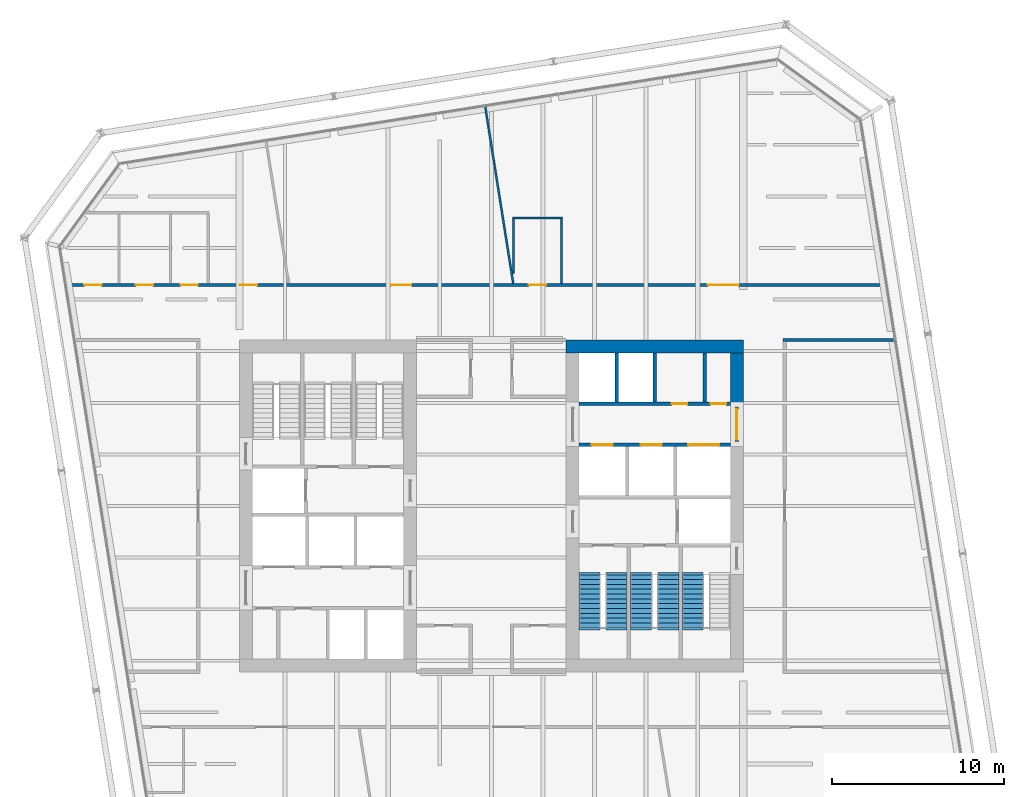
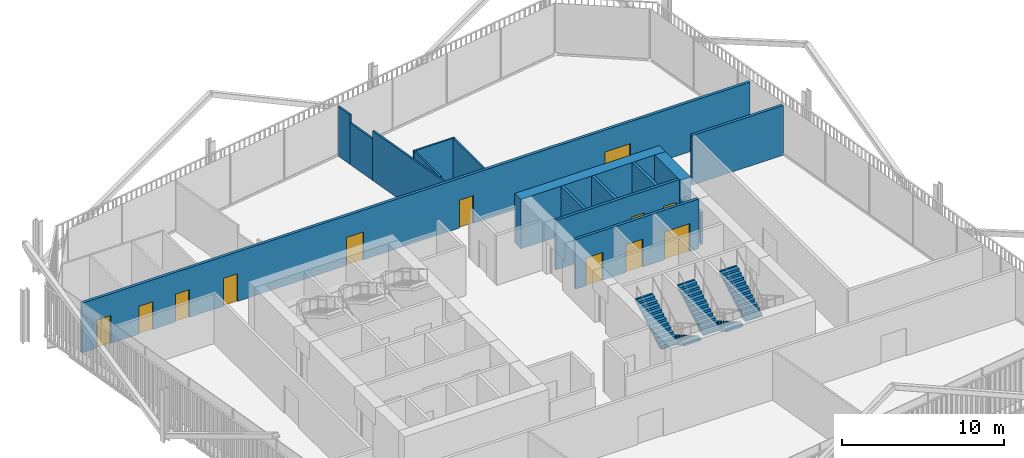
# One storey, part 17 of 19: 16 walls, 13 doors, 5 stair flights, 13 openings, 3 elements without a shape of their own.
"""IFC4 building model written with IfcOpenShell, lengths in metres."""

from ifc_helpers import new_model, si_unit, direction, frame, frame_2d, origin, place, context, subcontext, project, spatial, polyline, rectangle, outline, extrude, material, layer, layer_set, type_object, element, fill, aggregate, save


model = new_model("IFC4")

# Units and contexts
model_context = context("Model", 3, precision=1e-05, world=origin(), true_north=direction((0.0, 1.0)))
body_context = subcontext(model_context, "Body", "Model", "MODEL_VIEW")
ifc_project = project(units=[si_unit("LENGTHUNIT", "METRE"), si_unit("AREAUNIT", "SQUARE_METRE"), si_unit("VOLUMEUNIT", "CUBIC_METRE"), si_unit("PLANEANGLEUNIT", "RADIAN"), si_unit("MASSUNIT", "GRAM", prefix="KILO")], contexts=[model_context])

# Site, building, storey
site_placement = place(None, origin())
site = spatial("IfcSite", under=ifc_project, at=site_placement, CompositionType="ELEMENT")
building_placement = place(site_placement, origin())
building = spatial("IfcBuilding", under=site, at=building_placement, Name="Millrace Tower", CompositionType="ELEMENT")
storey_placement = place(building_placement, frame((0.0, 0.0, 129.5)))
storey = spatial("IfcBuildingStorey", under=building, at=storey_placement, Name="L28", CompositionType="ELEMENT", Elevation=129.5)

# Walls
ifc_material_1 = material(Name="Concrete C70", Category="concrete")
ifc_layer_1 = layer(ifc_material_1, 0.75)
ifc_layer_set_1 = layer_set([ifc_layer_1], Name="Concrete C70")
wall_type_1 = type_object("IfcWallType", Name="Core wall 750 Concrete C70", PredefinedType="SHEAR", material=ifc_layer_set_1)
wall_1_placement = place(storey_placement, frame((14.64990234375, 9.27490234375, 0.0), z_axis=(0.0, 0.0, 1.0), x_axis=(-1.0, 0.0, 0.0)))
element("IfcWall", 1, at=wall_1_placement, inside=storey, type_object=wall_type_1, Name="Core wall E L28", PredefinedType="SHEAR", context=body_context, shape_type="SweptSolid", body=[
    extrude(rectangle(XDim=10.2998046875, YDim=0.75, at=frame_2d((5.14990234375, 0.0))), origin(), (0.0, 0.0, 1.0), 3.739990234375),
])
wall_2_placement = place(storey_placement, frame((14.27490234375, 8.89990234375, 0.0), z_axis=(0.0, 0.0, 1.0), x_axis=(0.0, -1.0, 0.0)))
element("IfcWall", 2, at=wall_2_placement, inside=storey, type_object=wall_type_1, Name="Core wall E L28", PredefinedType="SHEAR", context=body_context, shape_type="SweptSolid", body=[
    extrude(rectangle(XDim=3.14990234375, YDim=0.75, at=frame_2d((1.574951171875, 0.0))), origin(), (0.0, 0.0, 1.0), 3.739990234375),
])
ifc_material_2 = material(Name="Masonry partition, fire-rated", Category="masonry")
ifc_layer_2 = layer(ifc_material_2, 0.199951171875)
ifc_layer_set_2 = layer_set([ifc_layer_2], Name="Masonry partition, fire-rated")
wall_type_2 = type_object("IfcWallType", Name="Corridor wall 200", PredefinedType="PARTITIONING", material=ifc_layer_set_2)
wall_3_placement = place(storey_placement, frame((16.949951171875, 9.64990234375, 0.0), z_axis=(0.0, 0.0, 1.0), x_axis=(1.0, 0.0, 0.0)))
element("IfcWall", 3, at=wall_3_placement, inside=storey, type_object=wall_type_2, Name="Corridor wall L28", PredefinedType="PARTITIONING", context=body_context, shape_type="SweptSolid", body=[
    extrude(rectangle(XDim=6.489501953125, YDim=0.199951171875, at=frame_2d((3.24462890625, 0.0))), origin(), (0.0, 0.0, 1.0), 3.739990234375),
])

# Wall, openings, doors
wall_4_placement = place(storey_placement, frame((-24.7138671875, 12.85009765625, 0.0), z_axis=(0.0, 0.0, 1.0), x_axis=(1.0, 0.0, 0.0)))
wall_4 = element("IfcWall", 4, at=wall_4_placement, inside=storey, type_object=wall_type_2, Name="Corridor wall L28", PredefinedType="PARTITIONING", context=body_context, shape_type="SweptSolid", body=[
    extrude(rectangle(XDim=47.646484375, YDim=0.199951171875, at=frame_2d((23.8232421875, 0.0))), origin(), (0.0, 0.0, 1.0), 3.739990234375),
])
opening_1_placement = place(wall_4_placement, frame((10.094970703125, 0.0, 0.0)))
opening_1 = element("IfcOpeningElement", 5, at=opening_1_placement, cuts=wall_4, Name="Opening 28-P005", PredefinedType="OPENING", context=body_context, shape_type="SweptSolid", body=[
    extrude(rectangle(XDim=1.0, YDim=2.10009765625, at=frame_2d((0.5, 1.050048828125))), frame((0.0, 0.10986328125, 0.0), z_axis=(0.0, -1.0, 0.0), x_axis=(1.0, 0.0, 0.0)), (0.0, 0.0, 1.0), 0.219970703125),
])
opening_2_placement = place(wall_4_placement, frame((1.051025390625, 0.0, 0.0)))
opening_2 = element("IfcOpeningElement", 6, at=opening_2_placement, cuts=wall_4, Name="Opening 28-P006", PredefinedType="OPENING", context=body_context, shape_type="SweptSolid", body=[
    extrude(rectangle(XDim=1.0, YDim=2.10009765625, at=frame_2d((0.5, 1.050048828125))), frame((0.0, 0.10986328125, 0.0), z_axis=(0.0, -1.0, 0.0), x_axis=(1.0, 0.0, 0.0)), (0.0, 0.0, 1.0), 0.219970703125),
])
opening_3_placement = place(wall_4_placement, frame((4.051025390625, 0.0, 0.0)))
opening_3 = element("IfcOpeningElement", 7, at=opening_3_placement, cuts=wall_4, Name="Opening 28-P007", PredefinedType="OPENING", context=body_context, shape_type="SweptSolid", body=[
    extrude(rectangle(XDim=1.0, YDim=2.10009765625, at=frame_2d((0.5, 1.050048828125))), frame((0.0, 0.10986328125, 0.0), z_axis=(0.0, -1.0, 0.0), x_axis=(1.0, 0.0, 0.0)), (0.0, 0.0, 1.0), 0.219970703125),
])
opening_4_placement = place(wall_4_placement, frame((6.65087890625, 0.0, 0.0)))
opening_4 = element("IfcOpeningElement", 8, at=opening_4_placement, cuts=wall_4, Name="Opening 28-P008", PredefinedType="OPENING", context=body_context, shape_type="SweptSolid", body=[
    extrude(rectangle(XDim=1.0, YDim=2.10009765625, at=frame_2d((0.5, 1.050048828125))), frame((0.0, 0.10986328125, 0.0), z_axis=(0.0, -1.0, 0.0), x_axis=(1.0, 0.0, 0.0)), (0.0, 0.0, 1.0), 0.219970703125),
])
opening_5_placement = place(wall_4_placement, frame((18.869384765625, 0.0, 0.0)))
opening_5 = element("IfcOpeningElement", 9, at=opening_5_placement, cuts=wall_4, Name="Opening 28-P009", PredefinedType="OPENING", context=body_context, shape_type="SweptSolid", body=[
    extrude(rectangle(XDim=1.199951171875, YDim=2.10009765625, at=frame_2d((0.60009765625, 1.050048828125))), frame((0.0, 0.10986328125, 0.0), z_axis=(0.0, -1.0, 0.0), x_axis=(1.0, 0.0, 0.0)), (0.0, 0.0, 1.0), 0.219970703125),
])
opening_6_placement = place(wall_4_placement, frame((37.298095703125, 0.0, 0.0)))
opening_6 = element("IfcOpeningElement", 10, at=opening_6_placement, cuts=wall_4, Name="Opening 28-P010", PredefinedType="OPENING", context=body_context, shape_type="SweptSolid", body=[
    extrude(rectangle(XDim=1.800048828125, YDim=2.10009765625, at=frame_2d((0.89990234375, 1.050048828125))), frame((0.0, 0.10986328125, 0.0), z_axis=(0.0, -1.0, 0.0), x_axis=(1.0, 0.0, 0.0)), (0.0, 0.0, 1.0), 0.219970703125),
])
opening_7_placement = place(wall_4_placement, frame((26.89990234375, 0.0, 0.0)))
opening_7 = element("IfcOpeningElement", 11, at=opening_7_placement, cuts=wall_4, Name="Opening 28-P011", PredefinedType="OPENING", context=body_context, shape_type="SweptSolid", body=[
    extrude(rectangle(XDim=1.0, YDim=2.10009765625, at=frame_2d((0.5, 1.050048828125))), frame((0.0, 0.10986328125, 0.0), z_axis=(0.0, -1.0, 0.0), x_axis=(1.0, 0.0, 0.0)), (0.0, 0.0, 1.0), 0.219970703125),
])
ifc_material_3 = material(Name="Steel door set, fire-rated", Category="steel")
door_type_1 = type_object("IfcDoorType", Name="Corridor door 1000 x 2100", OperationType="SINGLE_SWING_LEFT", PredefinedType="DOOR", material=ifc_material_3)
door_1_placement = place(opening_1_placement, origin())
door_1 = element("IfcDoor", 12, at=door_1_placement, inside=storey, type_object=door_type_1, Name="Door 28-P005", OperationType="SINGLE_SWING_LEFT", OverallHeight=2.10009765625, OverallWidth=1.0, PredefinedType="DOOR", context=body_context, shape_type="SweptSolid", body=[
    extrude(rectangle(XDim=1.0, YDim=2.10009765625, at=frame_2d((0.5, 1.050048828125))), frame((0.0, 0.02490234375, 0.0), z_axis=(0.0, -1.0, 0.0), x_axis=(1.0, 0.0, 0.0)), (0.0, 0.0, 1.0), 0.050048828125),
])
fill(opening_1, door_1)
door_2_placement = place(opening_2_placement, origin())
door_2 = element("IfcDoor", 13, at=door_2_placement, inside=storey, type_object=door_type_1, Name="Door 28-P006", OperationType="SINGLE_SWING_LEFT", OverallHeight=2.10009765625, OverallWidth=1.0, PredefinedType="DOOR", context=body_context, shape_type="SweptSolid", body=[
    extrude(rectangle(XDim=1.0, YDim=2.10009765625, at=frame_2d((0.5, 1.050048828125))), frame((0.0, 0.02490234375, 0.0), z_axis=(0.0, -1.0, 0.0), x_axis=(1.0, 0.0, 0.0)), (0.0, 0.0, 1.0), 0.050048828125),
])
fill(opening_2, door_2)
door_3_placement = place(opening_3_placement, origin())
door_3 = element("IfcDoor", 14, at=door_3_placement, inside=storey, type_object=door_type_1, Name="Door 28-P007", OperationType="SINGLE_SWING_LEFT", OverallHeight=2.10009765625, OverallWidth=1.0, PredefinedType="DOOR", context=body_context, shape_type="SweptSolid", body=[
    extrude(rectangle(XDim=1.0, YDim=2.10009765625, at=frame_2d((0.5, 1.050048828125))), frame((0.0, 0.02490234375, 0.0), z_axis=(0.0, -1.0, 0.0), x_axis=(1.0, 0.0, 0.0)), (0.0, 0.0, 1.0), 0.050048828125),
])
fill(opening_3, door_3)
door_4_placement = place(opening_4_placement, origin())
door_4 = element("IfcDoor", 15, at=door_4_placement, inside=storey, type_object=door_type_1, Name="Door 28-P008", OperationType="SINGLE_SWING_LEFT", OverallHeight=2.10009765625, OverallWidth=1.0, PredefinedType="DOOR", context=body_context, shape_type="SweptSolid", body=[
    extrude(rectangle(XDim=1.0, YDim=2.10009765625, at=frame_2d((0.5, 1.050048828125))), frame((0.0, 0.02490234375, 0.0), z_axis=(0.0, -1.0, 0.0), x_axis=(1.0, 0.0, 0.0)), (0.0, 0.0, 1.0), 0.050048828125),
])
fill(opening_4, door_4)
door_5_placement = place(opening_7_placement, origin())
door_5 = element("IfcDoor", 16, at=door_5_placement, inside=storey, type_object=door_type_1, Name="Door 28-P011", OperationType="SINGLE_SWING_RIGHT", OverallHeight=2.10009765625, OverallWidth=1.0, PredefinedType="DOOR", context=body_context, shape_type="SweptSolid", body=[
    extrude(rectangle(XDim=1.0, YDim=2.10009765625, at=frame_2d((0.5, 1.050048828125))), frame((0.0, 0.02490234375, 0.0), z_axis=(0.0, -1.0, 0.0), x_axis=(1.0, 0.0, 0.0)), (0.0, 0.0, 1.0), 0.050048828125),
])
fill(opening_7, door_5)
ifc_material_4 = material(Name="Steel door set, fire-rated", Category="steel")
door_type_2 = type_object("IfcDoorType", Name="Corridor door 1200 x 2100", OperationType="SINGLE_SWING_LEFT", PredefinedType="DOOR", material=ifc_material_4)
door_6_placement = place(opening_5_placement, origin())
door_6 = element("IfcDoor", 17, at=door_6_placement, inside=storey, type_object=door_type_2, Name="Door 28-P009", OperationType="SINGLE_SWING_LEFT", OverallHeight=2.10009765625, OverallWidth=1.199951171875, PredefinedType="DOOR", context=body_context, shape_type="SweptSolid", body=[
    extrude(rectangle(XDim=1.199951171875, YDim=2.10009765625, at=frame_2d((0.60009765625, 1.050048828125))), frame((0.0, 0.02490234375, 0.0), z_axis=(0.0, -1.0, 0.0), x_axis=(1.0, 0.0, 0.0)), (0.0, 0.0, 1.0), 0.050048828125),
])
fill(opening_5, door_6)
ifc_material_5 = material(Name="Steel door set, fire-rated", Category="steel")
door_type_3 = type_object("IfcDoorType", Name="Corridor door 1800 x 2100", OperationType="DOUBLE_DOOR_SINGLE_SWING", PredefinedType="DOOR", material=ifc_material_5)
door_7_placement = place(opening_6_placement, frame((1.800048828125, 0.0, 0.0), z_axis=(0.0, 0.0, 1.0), x_axis=(-1.0, 0.0, 0.0)))
door_7 = element("IfcDoor", 18, at=door_7_placement, inside=storey, type_object=door_type_3, Name="Door 28-P010", OperationType="DOUBLE_DOOR_SINGLE_SWING", OverallHeight=2.10009765625, OverallWidth=1.800048828125, PredefinedType="DOOR", context=body_context, shape_type="SweptSolid", body=[
    extrude(rectangle(XDim=1.800048828125, YDim=2.10009765625, at=frame_2d((0.89990234375, 1.050048828125))), frame((0.0, 0.02490234375, 0.0), z_axis=(0.0, -1.0, 0.0), x_axis=(1.0, 0.0, 0.0)), (0.0, 0.0, 1.0), 0.050048828125),
])
fill(opening_6, door_7)

ifc_material_6 = material(Name="Masonry partition, fire-rated", Category="masonry")
ifc_layer_3 = layer(ifc_material_6, 0.199951171875)
ifc_layer_set_3 = layer_set([ifc_layer_3], Name="Masonry partition, fire-rated")
wall_type_3 = type_object("IfcWallType", Name="Lift shaft wall 200", PredefinedType="PARTITIONING", material=ifc_layer_set_3)
wall_5_placement = place(storey_placement, frame((13.89990234375, 5.949951171875, 0.0), z_axis=(0.0, 0.0, 1.0), x_axis=(-1.0, 0.0, 0.0)))
wall_5 = element("IfcWall", 19, at=wall_5_placement, inside=storey, type_object=wall_type_3, Name="Lift shaft wall E L28", PredefinedType="PARTITIONING", context=body_context, shape_type="SweptSolid", body=[
    extrude(rectangle(XDim=8.7998046875, YDim=0.199951171875, at=frame_2d((4.39990234375, 0.0))), origin(), (0.0, 0.0, 1.0), 3.739990234375),
])
opening_8_placement = place(wall_5_placement, frame((0.25244140625, 0.0, 0.0)))
opening_8 = element("IfcOpeningElement", 20, at=opening_8_placement, cuts=wall_5, Name="Opening 28-C013", PredefinedType="OPENING", context=body_context, shape_type="SweptSolid", body=[
    extrude(rectangle(XDim=0.89990234375, YDim=2.10009765625, at=frame_2d((0.449951171875, 1.050048828125))), frame((0.0, 0.10986328125, 0.0), z_axis=(0.0, -1.0, 0.0), x_axis=(1.0, 0.0, 0.0)), (0.0, 0.0, 1.0), 0.219970703125),
])
opening_9_placement = place(wall_5_placement, frame((2.50244140625, 0.0, 0.0)))
opening_9 = element("IfcOpeningElement", 21, at=opening_9_placement, cuts=wall_5, Name="Opening 28-C014", PredefinedType="OPENING", context=body_context, shape_type="SweptSolid", body=[
    extrude(rectangle(XDim=0.89990234375, YDim=2.10009765625, at=frame_2d((0.449951171875, 1.050048828125))), frame((0.0, 0.10986328125, 0.0), z_axis=(0.0, -1.0, 0.0), x_axis=(1.0, 0.0, 0.0)), (0.0, 0.0, 1.0), 0.219970703125),
])
ifc_material_7 = material(Name="Steel door, fire-rated", Category="steel")
door_type_4 = type_object("IfcDoorType", Name="Service room door 900 x 2100", OperationType="SINGLE_SWING_LEFT", PredefinedType="DOOR", material=ifc_material_7)
door_8_placement = place(opening_8_placement, frame((0.89990234375, 0.0, 0.0), z_axis=(0.0, 0.0, 1.0), x_axis=(-1.0, 0.0, 0.0)))
door_8 = element("IfcDoor", 22, at=door_8_placement, inside=storey, type_object=door_type_4, Name="Service room door 28-C013", OperationType="SINGLE_SWING_RIGHT", OverallHeight=2.10009765625, OverallWidth=0.89990234375, PredefinedType="DOOR", context=body_context, shape_type="SweptSolid", body=[
    extrude(rectangle(XDim=0.89990234375, YDim=2.10009765625, at=frame_2d((0.449951171875, 1.050048828125))), frame((0.0, 0.02490234375, 0.0), z_axis=(0.0, -1.0, 0.0), x_axis=(1.0, 0.0, 0.0)), (0.0, 0.0, 1.0), 0.050048828125),
])
fill(opening_8, door_8)
door_9_placement = place(opening_9_placement, frame((0.89990234375, 0.0, 0.0), z_axis=(0.0, 0.0, 1.0), x_axis=(-1.0, 0.0, 0.0)))
door_9 = element("IfcDoor", 23, at=door_9_placement, inside=storey, type_object=door_type_4, Name="Service room door 28-C014", OperationType="SINGLE_SWING_RIGHT", OverallHeight=2.10009765625, OverallWidth=0.89990234375, PredefinedType="DOOR", context=body_context, shape_type="SweptSolid", body=[
    extrude(rectangle(XDim=0.89990234375, YDim=2.10009765625, at=frame_2d((0.449951171875, 1.050048828125))), frame((0.0, 0.02490234375, 0.0), z_axis=(0.0, -1.0, 0.0), x_axis=(1.0, 0.0, 0.0)), (0.0, 0.0, 1.0), 0.050048828125),
])
fill(opening_9, door_9)

wall_6_placement = place(storey_placement, frame((13.89990234375, 3.550048828125, 0.0), z_axis=(0.0, 0.0, 1.0), x_axis=(-1.0, 0.0, 0.0)))
wall_6 = element("IfcWall", 24, at=wall_6_placement, inside=storey, type_object=wall_type_3, Name="Lift shaft wall E L28", PredefinedType="PARTITIONING", context=body_context, shape_type="SweptSolid", body=[
    extrude(rectangle(XDim=8.7998046875, YDim=0.199951171875, at=frame_2d((4.39990234375, 0.0))), origin(), (0.0, 0.0, 1.0), 3.739990234375),
])
opening_10_placement = place(wall_6_placement, frame((0.64990234375, 0.0, 0.0)))
opening_10 = element("IfcOpeningElement", 25, at=opening_10_placement, cuts=wall_6, Name="Opening 28-LD13", PredefinedType="OPENING", context=body_context, shape_type="SweptSolid", body=[
    extrude(rectangle(XDim=1.800048828125, YDim=2.10009765625, at=frame_2d((0.89990234375, 1.050048828125))), frame((0.0, 0.10986328125, 0.0), z_axis=(0.0, -1.0, 0.0), x_axis=(1.0, 0.0, 0.0)), (0.0, 0.0, 1.0), 0.219970703125),
])
opening_11_placement = place(wall_6_placement, frame((4.0, 0.0, 0.0)))
opening_11 = element("IfcOpeningElement", 26, at=opening_11_placement, cuts=wall_6, Name="Opening 28-LD14", PredefinedType="OPENING", context=body_context, shape_type="SweptSolid", body=[
    extrude(rectangle(XDim=1.199951171875, YDim=2.10009765625, at=frame_2d((0.60009765625, 1.050048828125))), frame((0.0, 0.10986328125, 0.0), z_axis=(0.0, -1.0, 0.0), x_axis=(1.0, 0.0, 0.0)), (0.0, 0.0, 1.0), 0.219970703125),
])
opening_12_placement = place(wall_6_placement, frame((6.85009765625, 0.0, 0.0)))
opening_12 = element("IfcOpeningElement", 27, at=opening_12_placement, cuts=wall_6, Name="Opening 28-LD15", PredefinedType="OPENING", context=body_context, shape_type="SweptSolid", body=[
    extrude(rectangle(XDim=1.199951171875, YDim=2.10009765625, at=frame_2d((0.60009765625, 1.050048828125))), frame((0.0, 0.10986328125, 0.0), z_axis=(0.0, -1.0, 0.0), x_axis=(1.0, 0.0, 0.0)), (0.0, 0.0, 1.0), 0.219970703125),
])
ifc_material_8 = material(Name="Stainless steel, fire-rated", Category="steel")
door_type_5 = type_object("IfcDoorType", Name="Lift landing door 1200 x 2100", OperationType="DOUBLE_DOOR_SLIDING", PredefinedType="DOOR", material=ifc_material_8)
door_10_placement = place(opening_11_placement, origin())
door_10 = element("IfcDoor", 28, at=door_10_placement, inside=storey, type_object=door_type_5, Name="Lift landing door LF14 L28", OperationType="DOUBLE_DOOR_SLIDING", OverallHeight=2.10009765625, OverallWidth=1.199951171875, PredefinedType="DOOR", context=body_context, shape_type="SweptSolid", body=[
    extrude(rectangle(XDim=1.199951171875, YDim=2.10009765625, at=frame_2d((0.60009765625, 1.050048828125))), frame((0.0, 0.02490234375, 0.0), z_axis=(0.0, -1.0, 0.0), x_axis=(1.0, 0.0, 0.0)), (0.0, 0.0, 1.0), 0.050048828125),
])
fill(opening_11, door_10)
door_11_placement = place(opening_12_placement, origin())
door_11 = element("IfcDoor", 29, at=door_11_placement, inside=storey, type_object=door_type_5, Name="Lift landing door LF15 L28", OperationType="DOUBLE_DOOR_SLIDING", OverallHeight=2.10009765625, OverallWidth=1.199951171875, PredefinedType="DOOR", context=body_context, shape_type="SweptSolid", body=[
    extrude(rectangle(XDim=1.199951171875, YDim=2.10009765625, at=frame_2d((0.60009765625, 1.050048828125))), frame((0.0, 0.02490234375, 0.0), z_axis=(0.0, -1.0, 0.0), x_axis=(1.0, 0.0, 0.0)), (0.0, 0.0, 1.0), 0.050048828125),
])
fill(opening_12, door_11)
ifc_material_9 = material(Name="Stainless steel, fire-rated", Category="steel")
door_type_6 = type_object("IfcDoorType", Name="Lift landing door 1800 x 2100", OperationType="DOUBLE_DOOR_SLIDING", PredefinedType="DOOR", material=ifc_material_9)
door_12_placement = place(opening_10_placement, origin())
door_12 = element("IfcDoor", 30, at=door_12_placement, inside=storey, type_object=door_type_6, Name="Lift landing door LF13 L28", OperationType="DOUBLE_DOOR_SLIDING", OverallHeight=2.10009765625, OverallWidth=1.800048828125, PredefinedType="DOOR", context=body_context, shape_type="SweptSolid", body=[
    extrude(rectangle(XDim=1.800048828125, YDim=2.10009765625, at=frame_2d((0.89990234375, 1.050048828125))), frame((0.0, 0.02490234375, 0.0), z_axis=(0.0, -1.0, 0.0), x_axis=(1.0, 0.0, 0.0)), (0.0, 0.0, 1.0), 0.050048828125),
])
fill(opening_10, door_12)

# Walls
for number, where, z_axis, x_axis, name in (
    (31, (9.5, 8.89990234375, 0.0), (0.0, 0.0, 1.0), (0.0, -1.0, 0.0), "Lift shaft wall E L28"),
    (32, (7.300048828125, 8.89990234375, 0.0), (0.0, 0.0, 1.0), (0.0, -1.0, 0.0), "Lift shaft wall E L28"),
):
    element("IfcWall", number, at=place(storey_placement, frame(where, z_axis=z_axis, x_axis=x_axis)), inside=storey, type_object=wall_type_3, Name=name, PredefinedType="PARTITIONING", context=body_context, shape_type="SweptSolid", body=[
        extrude(rectangle(XDim=2.849853515625, YDim=0.199951171875, at=frame_2d((1.4248046875, 0.0))), origin(), (0.0, 0.0, 1.0), 3.739990234375),
    ])

# Wall, opening, door
ifc_material_10 = material(Name="Masonry partition, fire-rated", Category="masonry")
ifc_layer_4 = layer(ifc_material_10, 0.199951171875)
ifc_layer_set_4 = layer_set([ifc_layer_4], Name="Masonry partition, fire-rated")
wall_type_4 = type_object("IfcWallType", Name="Lobby wall 200", PredefinedType="PARTITIONING", material=ifc_layer_set_4)
wall_7_placement = place(storey_placement, frame((14.27490234375, 5.75, 0.0), z_axis=(0.0, 0.0, 1.0), x_axis=(0.0, -1.0, 0.0)))
wall_7 = element("IfcWall", 33, at=wall_7_placement, inside=storey, type_object=wall_type_4, Name="Lobby wall E L28", PredefinedType="PARTITIONING", context=body_context, shape_type="SweptSolid", body=[
    extrude(rectangle(XDim=2.0, YDim=0.199951171875, at=frame_2d((1.0, 0.0))), origin(), (0.0, 0.0, 1.0), 2.39990234375),
])
opening_13_placement = place(wall_7_placement, frame((0.10009765625, 0.0, 0.0)))
opening_13 = element("IfcOpeningElement", 34, at=opening_13_placement, cuts=wall_7, Name="Opening 28-C009", PredefinedType="OPENING", context=body_context, shape_type="SweptSolid", body=[
    extrude(rectangle(XDim=1.800048828125, YDim=2.10009765625, at=frame_2d((0.89990234375, 1.050048828125))), frame((0.0, 0.10986328125, 0.0), z_axis=(0.0, -1.0, 0.0), x_axis=(1.0, 0.0, 0.0)), (0.0, 0.0, 1.0), 0.219970703125),
])
ifc_material_11 = material(Name="Steel door, fire-rated", Category="steel")
door_type_7 = type_object("IfcDoorType", Name="Lobby door 1800 x 2100", OperationType="DOUBLE_DOOR_SINGLE_SWING", PredefinedType="DOOR", material=ifc_material_11)
door_13_placement = place(opening_13_placement, origin())
door_13 = element("IfcDoor", 35, at=door_13_placement, inside=storey, type_object=door_type_7, Name="Lobby door 28-C009", OperationType="DOUBLE_DOOR_SINGLE_SWING", OverallHeight=2.10009765625, OverallWidth=1.800048828125, PredefinedType="DOOR", context=body_context, shape_type="SweptSolid", body=[
    extrude(rectangle(XDim=1.800048828125, YDim=2.10009765625, at=frame_2d((0.89990234375, 1.050048828125))), frame((0.0, 0.02490234375, 0.0), z_axis=(0.0, -1.0, 0.0), x_axis=(1.0, 0.0, 0.0)), (0.0, 0.0, 1.0), 0.050048828125),
])
fill(opening_13, door_13)

# Walls
ifc_material_12 = material(Name="Gypsum board partition")
ifc_layer_5 = layer(ifc_material_12, 0.1201171875)
ifc_layer_set_5 = layer_set([ifc_layer_5], Name="Gypsum board partition")
wall_type_5 = type_object("IfcWallType", Name="Partition wall 120", PredefinedType="PARTITIONING", material=ifc_layer_set_5)
wall_8_placement = place(storey_placement, frame((-0.35791015625, 23.2265625, 0.0), z_axis=(0.0, 0.0, 1.0), x_axis=(0.156600767985, -0.987661986444, 0.0)))
element("IfcWall", 36, at=wall_8_placement, inside=storey, type_object=wall_type_5, Name="Partition wall L28", PredefinedType="PARTITIONING", context=body_context, shape_type="SweptSolid", body=[
    extrude(rectangle(XDim=1.1787109375, YDim=0.1201171875, at=frame_2d((0.58935546875, 0.0))), origin(), (0.0, 0.0, 1.0), 3.739990234375),
])
wall_9_placement = place(storey_placement, frame((-0.17333984375, 22.0625, 0.0), z_axis=(0.0, 0.0, 1.0), x_axis=(0.156375374173, -0.987697697857, 0.0)))
element("IfcWall", 37, at=wall_9_placement, inside=storey, type_object=wall_type_5, Name="Partition wall L28", PredefinedType="PARTITIONING", context=body_context, shape_type="SweptSolid", body=[
    extrude(rectangle(XDim=2.217041015625, YDim=0.1201171875, at=frame_2d((1.1083984375, 0.0))), origin(), (0.0, 0.0, 1.0), 3.1328125),
])
wall_10_placement = place(storey_placement, frame((0.17333984375, 19.872802734375, 0.0), z_axis=(0.0, 0.0, 1.0), x_axis=(0.156470438689, -0.987682642257, 0.0)))
element("IfcWall", 38, at=wall_10_placement, inside=storey, type_object=wall_type_5, Name="Partition wall L28", PredefinedType="PARTITIONING", context=body_context, shape_type="SweptSolid", body=[
    extrude(rectangle(XDim=7.010498046875, YDim=0.1201171875, at=frame_2d((3.50537109375, 0.0))), origin(), (0.0, 0.0, 1.0), 3.739990234375),
])
wall_11_placement = place(storey_placement, frame((1.22607421875, 16.75, 0.0), z_axis=(0.0, 0.0, 1.0), x_axis=(1.0, 0.0, 0.0)))
element("IfcWall", 39, at=wall_11_placement, inside=storey, type_object=wall_type_5, Name="Partition wall L28", PredefinedType="PARTITIONING", context=body_context, shape_type="SweptSolid", body=[
    extrude(rectangle(XDim=2.919921875, YDim=0.1201171875, at=frame_2d((1.4599609375, 0.0))), origin(), (0.0, 0.0, 1.0), 3.739990234375),
])
wall_12_placement = place(storey_placement, frame((4.0859375, 12.949951171875, 0.0), z_axis=(0.0, 0.0, 1.0), x_axis=(0.0, 1.0, 0.0)))
element("IfcWall", 40, at=wall_12_placement, inside=storey, type_object=wall_type_5, Name="Partition wall L28", PredefinedType="PARTITIONING", context=body_context, shape_type="SweptSolid", body=[
    extrude(rectangle(XDim=3.739990234375, YDim=0.1201171875, at=frame_2d((1.8701171875, 0.0))), origin(), (0.0, 0.0, 1.0), 3.739990234375),
])
wall_13_placement = place(storey_placement, frame((1.285888671875, 13.517578125, 0.0), z_axis=(0.0, 0.0, 1.0), x_axis=(0.0, 1.0, 0.0)))
element("IfcWall", 41, at=wall_13_placement, inside=storey, type_object=wall_type_5, Name="Partition wall L28", PredefinedType="PARTITIONING", context=body_context, shape_type="SweptSolid", body=[
    extrude(rectangle(XDim=3.17236328125, YDim=0.1201171875, at=frame_2d((1.586181640625, 0.0))), origin(), (0.0, 0.0, 1.0), 3.739990234375),
])
ifc_material_13 = material(Name="Masonry partition, fire-rated", Category="masonry")
ifc_layer_6 = layer(ifc_material_13, 0.199951171875)
ifc_layer_set_6 = layer_set([ifc_layer_6], Name="Masonry partition, fire-rated")
wall_type_6 = type_object("IfcWallType", Name="Room partition 200", PredefinedType="PARTITIONING", material=ifc_layer_set_6)
wall_14_placement = place(storey_placement, frame((12.39501953125, 8.89990234375, 0.0), z_axis=(0.0, 0.0, 1.0), x_axis=(0.0, -1.0, 0.0)))
element("IfcWall", 42, at=wall_14_placement, inside=storey, type_object=wall_type_6, Name="Room partition E L28", PredefinedType="PARTITIONING", context=body_context, shape_type="SweptSolid", body=[
    extrude(rectangle(XDim=2.849853515625, YDim=0.199951171875, at=frame_2d((1.4248046875, 0.0))), origin(), (0.0, 0.0, 1.0), 3.739990234375),
])

# Stair, stair flight
ifc_material_14 = material(Name="Concrete C35", Category="concrete")
stair_type = type_object("IfcStairType", Name="Exit stair", PredefinedType="HALF_TURN_STAIR", material=ifc_material_14)
placement = place(storey_placement, origin())
stair_1 = element("IfcStair", 43, at=placement, inside=storey, type_object=stair_type, Name="Stair 1 E L28", PredefinedType="HALF_TURN_STAIR")
ifc_material_15 = material(Name="Concrete C35", Category="concrete")
stair_flight_type = type_object("IfcStairFlightType", Name="Exit stair flight", PredefinedType="STRAIGHT", material=ifc_material_15)
stair_flight_1_placement = place(storey_placement, frame((11.7099609375, -7.080078125, 1.949951171875), z_axis=(0.0, 0.0, 1.0), x_axis=(0.0, 1.0, 0.0)))
stair_flight_1 = element("IfcStairFlight", 44, at=stair_flight_1_placement, type_object=stair_flight_type, Name="ST12 flight 2", NumberOfRisers=12, NumberOfTreads=11, PredefinedType="STRAIGHT", RiserHeight=0.1625, TreadLength=0.28, context=body_context, shape_type="SweptSolid", body=[
    extrude(outline(polyline([(-0.1201171875, -0.0400390625), (-0.1201171875, 0.0), (0.0, 0.0), (0.0, 0.16259765625), (0.280029296875, 0.16259765625), (0.280029296875, 0.324951171875), (0.56005859375, 0.324951171875), (0.56005859375, 0.487548828125), (0.840087890625, 0.487548828125), (0.840087890625, 0.64990234375), (1.1201171875, 0.64990234375), (1.1201171875, 0.8125), (1.39990234375, 0.8125), (1.39990234375, 0.97509765625), (1.679931640625, 0.97509765625), (1.679931640625, 1.137451171875), (1.9599609375, 1.137451171875), (1.9599609375, 1.300048828125), (2.239990234375, 1.300048828125), (2.239990234375, 1.46240234375), (2.52001953125, 1.46240234375), (2.52001953125, 1.625), (2.800048828125, 1.625), (2.800048828125, 1.78759765625), (3.080078125, 1.78759765625), (3.080078125, 1.8076171875), (3.199951171875, 1.8076171875), (3.199951171875, 1.6142578125), (3.080078125, 1.6142578125), (0.298583984375, 0.0), (0.298583984375, -0.0400390625), (-0.1201171875, -0.0400390625)])), frame((0.0, 0.60986328125, 0.0), z_axis=(0.0, -1.0, 0.0), x_axis=(1.0, 0.0, 0.0)), (0.0, 0.0, 1.0), 1.219970703125),
])
aggregate(stair_1, [stair_flight_1])

# Stair, stair flights
stair_2 = element("IfcStair", 45, at=placement, inside=storey, type_object=stair_type, Name="Stair 2 E L28", PredefinedType="HALF_TURN_STAIR")
stair_flight_2_placement = place(storey_placement, frame((10.2900390625, -4.0, 0.0), z_axis=(0.0, 0.0, 1.0), x_axis=(0.0, -1.0, 0.0)))
stair_flight_2 = element("IfcStairFlight", 46, at=stair_flight_2_placement, type_object=stair_flight_type, Name="ST12 flight 1", NumberOfRisers=12, NumberOfTreads=11, PredefinedType="STRAIGHT", RiserHeight=0.1625, TreadLength=0.28, context=body_context, shape_type="SweptSolid", body=[
    extrude(outline(polyline([(-0.1201171875, -0.0400390625), (-0.1201171875, 0.0), (0.0, 0.0), (0.0, 0.16259765625), (0.280029296875, 0.16259765625), (0.280029296875, 0.324951171875), (0.56005859375, 0.324951171875), (0.56005859375, 0.487548828125), (0.840087890625, 0.487548828125), (0.840087890625, 0.64990234375), (1.1201171875, 0.64990234375), (1.1201171875, 0.8125), (1.39990234375, 0.8125), (1.39990234375, 0.97509765625), (1.679931640625, 0.97509765625), (1.679931640625, 1.137451171875), (1.9599609375, 1.137451171875), (1.9599609375, 1.300048828125), (2.239990234375, 1.300048828125), (2.239990234375, 1.46240234375), (2.52001953125, 1.46240234375), (2.52001953125, 1.625), (2.800048828125, 1.625), (2.800048828125, 1.78759765625), (3.080078125, 1.78759765625), (3.080078125, 1.8076171875), (3.199951171875, 1.8076171875), (3.199951171875, 1.6142578125), (3.080078125, 1.6142578125), (0.298583984375, 0.0), (0.298583984375, -0.0400390625), (-0.1201171875, -0.0400390625)])), frame((0.0, 0.60986328125, 0.0), z_axis=(0.0, -1.0, 0.0), x_axis=(1.0, 0.0, 0.0)), (0.0, 0.0, 1.0), 1.219970703125),
])
stair_flight_3_placement = place(storey_placement, frame((8.7099609375, -7.080078125, 1.949951171875), z_axis=(0.0, 0.0, 1.0), x_axis=(0.0, 1.0, 0.0)))
stair_flight_3 = element("IfcStairFlight", 47, at=stair_flight_3_placement, type_object=stair_flight_type, Name="ST12 flight 2", NumberOfRisers=12, NumberOfTreads=11, PredefinedType="STRAIGHT", RiserHeight=0.1625, TreadLength=0.28, context=body_context, shape_type="SweptSolid", body=[
    extrude(outline(polyline([(-0.1201171875, -0.0400390625), (-0.1201171875, 0.0), (0.0, 0.0), (0.0, 0.16259765625), (0.280029296875, 0.16259765625), (0.280029296875, 0.324951171875), (0.56005859375, 0.324951171875), (0.56005859375, 0.487548828125), (0.840087890625, 0.487548828125), (0.840087890625, 0.64990234375), (1.1201171875, 0.64990234375), (1.1201171875, 0.8125), (1.39990234375, 0.8125), (1.39990234375, 0.97509765625), (1.679931640625, 0.97509765625), (1.679931640625, 1.137451171875), (1.9599609375, 1.137451171875), (1.9599609375, 1.300048828125), (2.239990234375, 1.300048828125), (2.239990234375, 1.46240234375), (2.52001953125, 1.46240234375), (2.52001953125, 1.625), (2.800048828125, 1.625), (2.800048828125, 1.78759765625), (3.080078125, 1.78759765625), (3.080078125, 1.8076171875), (3.199951171875, 1.8076171875), (3.199951171875, 1.6142578125), (3.080078125, 1.6142578125), (0.298583984375, 0.0), (0.298583984375, -0.0400390625), (-0.1201171875, -0.0400390625)])), frame((0.0, 0.60986328125, 0.0), z_axis=(0.0, -1.0, 0.0), x_axis=(1.0, 0.0, 0.0)), (0.0, 0.0, 1.0), 1.219970703125),
])
aggregate(stair_2, [stair_flight_2, stair_flight_3])

stair_3 = element("IfcStair", 48, at=placement, inside=storey, type_object=stair_type, Name="Stair 3 E L28", PredefinedType="HALF_TURN_STAIR")
stair_flight_4_placement = place(storey_placement, frame((7.2900390625, -4.0, 0.0), z_axis=(0.0, 0.0, 1.0), x_axis=(0.0, -1.0, 0.0)))
stair_flight_4 = element("IfcStairFlight", 49, at=stair_flight_4_placement, type_object=stair_flight_type, Name="ST12 flight 1", NumberOfRisers=12, NumberOfTreads=11, PredefinedType="STRAIGHT", RiserHeight=0.1625, TreadLength=0.28, context=body_context, shape_type="SweptSolid", body=[
    extrude(outline(polyline([(-0.1201171875, -0.0400390625), (-0.1201171875, 0.0), (0.0, 0.0), (0.0, 0.16259765625), (0.280029296875, 0.16259765625), (0.280029296875, 0.324951171875), (0.56005859375, 0.324951171875), (0.56005859375, 0.487548828125), (0.840087890625, 0.487548828125), (0.840087890625, 0.64990234375), (1.1201171875, 0.64990234375), (1.1201171875, 0.8125), (1.39990234375, 0.8125), (1.39990234375, 0.97509765625), (1.679931640625, 0.97509765625), (1.679931640625, 1.137451171875), (1.9599609375, 1.137451171875), (1.9599609375, 1.300048828125), (2.239990234375, 1.300048828125), (2.239990234375, 1.46240234375), (2.52001953125, 1.46240234375), (2.52001953125, 1.625), (2.800048828125, 1.625), (2.800048828125, 1.78759765625), (3.080078125, 1.78759765625), (3.080078125, 1.8076171875), (3.199951171875, 1.8076171875), (3.199951171875, 1.6142578125), (3.080078125, 1.6142578125), (0.298583984375, 0.0), (0.298583984375, -0.0400390625), (-0.1201171875, -0.0400390625)])), frame((0.0, 0.60986328125, 0.0), z_axis=(0.0, -1.0, 0.0), x_axis=(1.0, 0.0, 0.0)), (0.0, 0.0, 1.0), 1.219970703125),
])
stair_flight_5_placement = place(storey_placement, frame((5.7099609375, -7.080078125, 1.949951171875), z_axis=(0.0, 0.0, 1.0), x_axis=(0.0, 1.0, 0.0)))
stair_flight_5 = element("IfcStairFlight", 50, at=stair_flight_5_placement, type_object=stair_flight_type, Name="ST12 flight 2", NumberOfRisers=12, NumberOfTreads=11, PredefinedType="STRAIGHT", RiserHeight=0.1625, TreadLength=0.28, context=body_context, shape_type="SweptSolid", body=[
    extrude(outline(polyline([(-0.1201171875, -0.0400390625), (-0.1201171875, 0.0), (0.0, 0.0), (0.0, 0.16259765625), (0.280029296875, 0.16259765625), (0.280029296875, 0.324951171875), (0.56005859375, 0.324951171875), (0.56005859375, 0.487548828125), (0.840087890625, 0.487548828125), (0.840087890625, 0.64990234375), (1.1201171875, 0.64990234375), (1.1201171875, 0.8125), (1.39990234375, 0.8125), (1.39990234375, 0.97509765625), (1.679931640625, 0.97509765625), (1.679931640625, 1.137451171875), (1.9599609375, 1.137451171875), (1.9599609375, 1.300048828125), (2.239990234375, 1.300048828125), (2.239990234375, 1.46240234375), (2.52001953125, 1.46240234375), (2.52001953125, 1.625), (2.800048828125, 1.625), (2.800048828125, 1.78759765625), (3.080078125, 1.78759765625), (3.080078125, 1.8076171875), (3.199951171875, 1.8076171875), (3.199951171875, 1.6142578125), (3.080078125, 1.6142578125), (0.298583984375, 0.0), (0.298583984375, -0.0400390625), (-0.1201171875, -0.0400390625)])), frame((0.0, 0.60986328125, 0.0), z_axis=(0.0, -1.0, 0.0), x_axis=(1.0, 0.0, 0.0)), (0.0, 0.0, 1.0), 1.219970703125),
])
aggregate(stair_3, [stair_flight_4, stair_flight_5])

save(model, "model.ifc")
